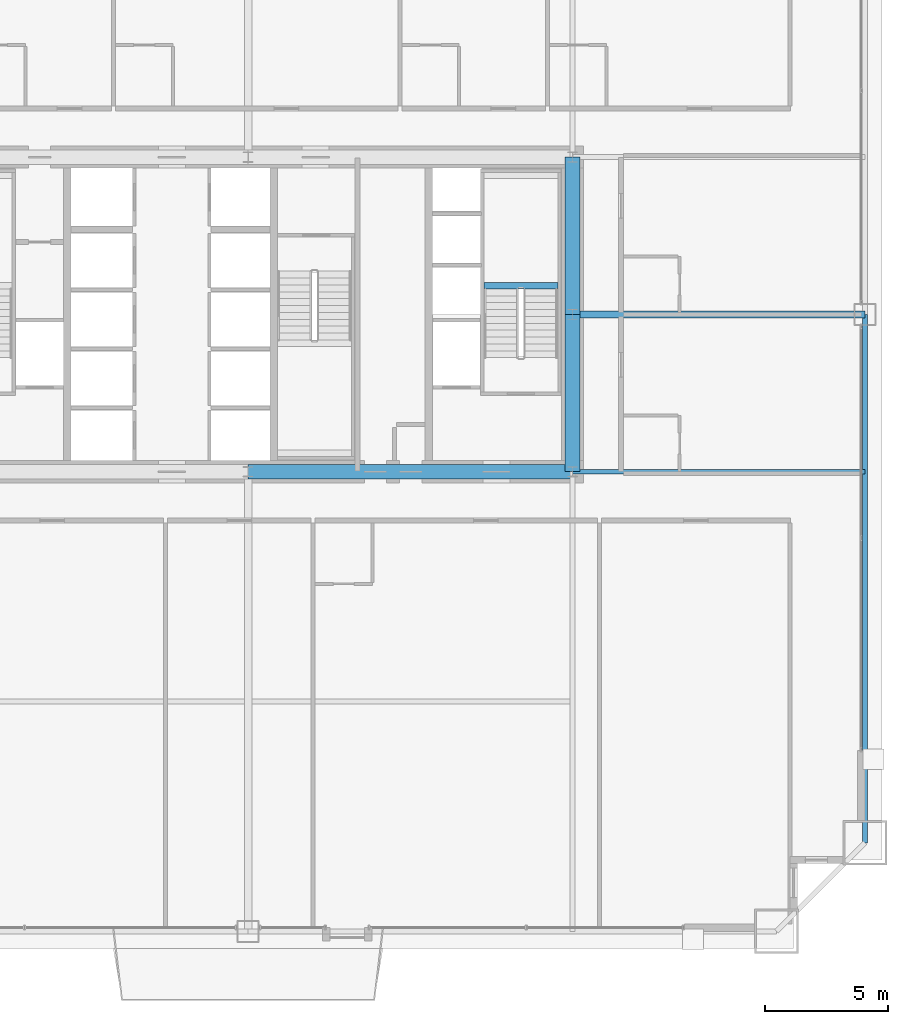
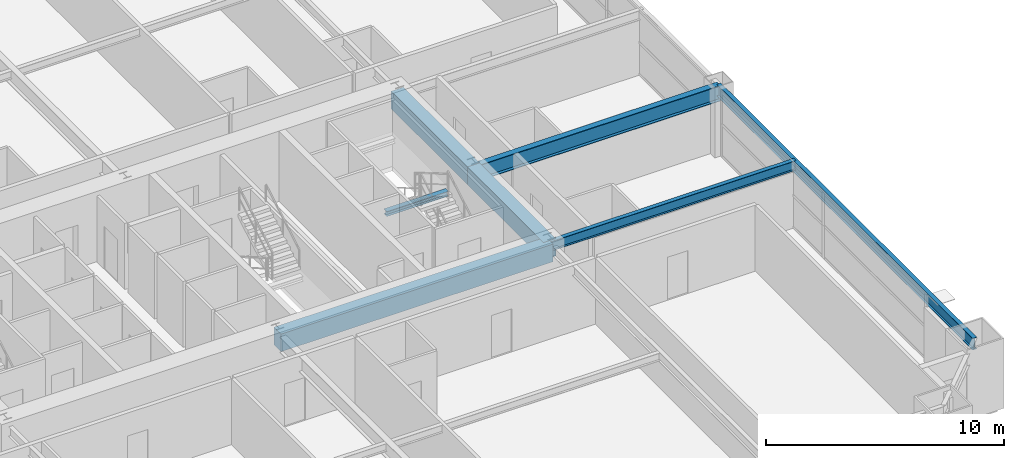
# One storey, part 18 of 43: 7 beams.
"""IFC4 building model written with IfcOpenShell, lengths in metres."""

from ifc_helpers import new_model, si_unit, direction, frame, origin, origin_2d, place, context, subcontext, project, spatial, rectangle, i_section, extrude, source, transform, mapped, material, material_profile, profile_set, type_object, element, save


model = new_model("IFC4")

# Units and contexts
model_context = context("Model", 3, precision=1e-05, world=origin(), true_north=direction((0.0, 1.0)))
body_context = subcontext(model_context, "Body", "Model", "MODEL_VIEW")
ifc_project = project(units=[si_unit("LENGTHUNIT", "METRE"), si_unit("AREAUNIT", "SQUARE_METRE"), si_unit("VOLUMEUNIT", "CUBIC_METRE"), si_unit("PLANEANGLEUNIT", "RADIAN"), si_unit("MASSUNIT", "GRAM", prefix="KILO"), si_unit("THERMODYNAMICTEMPERATUREUNIT", "KELVIN"), si_unit("POWERUNIT", "WATT")], contexts=[model_context])

# Site, building, storey
site_placement = place(None, origin())
site = spatial("IfcSite", under=ifc_project, at=site_placement, CompositionType="ELEMENT")
building_placement = place(site_placement, origin())
building = spatial("IfcBuilding", under=site, at=building_placement, Name="Yuzanri Waterfront Tower", CompositionType="ELEMENT")
storey_placement = place(building_placement, frame((0.0, 0.0, 78.39990234375)))
storey = spatial("IfcBuildingStorey", under=building, at=storey_placement, Name="L20", CompositionType="ELEMENT", Elevation=78.39990234375)

# Beams
ifc_material_1 = material(Name="Concrete C60", Category="concrete")
ifc_material_profile_1 = material_profile(ifc_material_1, rectangle(XDim=0.60009765625, YDim=0.89990234375, at=origin_2d()), Name="RC 600x900")
ifc_profile_set_1 = profile_set([ifc_material_profile_1], Name="Concrete C60")
beam_type_1 = type_object("IfcBeamType", Name="Core Coupling Lintel Concrete C60 600x900", PredefinedType="LINTEL", material=ifc_profile_set_1)
shared_shape_1 = source(origin(), body_context, "Body", "SweptSolid", [
    extrude(rectangle(XDim=0.60009765625, YDim=0.89990234375, at=origin_2d()), origin(), (0.0, 0.0, 1.0), 13.199951171875),
])
beam_1_placement = place(storey_placement, frame((37.0, 19.39990234375, 2.93017578125), z_axis=(1.0, 0.0, 0.0), x_axis=(0.0, 1.0, 0.0)))
element("IfcBeam", 1, at=beam_1_placement, inside=storey, type_object=beam_type_1, Name="L20 Core Tie Beam CS2", PredefinedType="LINTEL", context=body_context, shape_type="MappedRepresentation", body=[
    mapped(shared_shape_1, transform((0.0, 0.0, 0.0), scale=1.0)),
])
shared_shape_2 = source(origin(), body_context, "Body", "SweptSolid", [
    extrude(rectangle(XDim=0.60009765625, YDim=0.89990234375, at=origin_2d()), origin(), (0.0, 0.0, 1.0), 6.400146484375),
])
beam_2_placement = place(storey_placement, frame((50.199951171875, 19.39990234375, 2.93017578125), z_axis=(0.0, 1.0, 0.0), x_axis=(-1.0, 0.0, 0.0)))
element("IfcBeam", 2, at=beam_2_placement, inside=storey, type_object=beam_type_1, Name="L20 Core Tie Beam CE1", PredefinedType="LINTEL", context=body_context, shape_type="MappedRepresentation", body=[
    mapped(shared_shape_2, transform((0.0, 0.0, 0.0), scale=1.0)),
])
shared_shape_3 = source(origin(), body_context, "Body", "SweptSolid", [
    extrude(rectangle(XDim=0.60009765625, YDim=0.89990234375, at=origin_2d()), origin(), (0.0, 0.0, 1.0), 6.39990234375),
])
beam_3_placement = place(storey_placement, frame((50.199951171875, 25.800048828125, 2.93017578125), z_axis=(0.0, 1.0, 0.0), x_axis=(-1.0, 0.0, 0.0)))
element("IfcBeam", 3, at=beam_3_placement, inside=storey, type_object=beam_type_1, Name="L20 Core Tie Beam CE2", PredefinedType="LINTEL", context=body_context, shape_type="MappedRepresentation", body=[
    mapped(shared_shape_3, transform((0.0, 0.0, 0.0), scale=1.0)),
])
ifc_material_2 = material(Name="Steel Q355B", Category="steel")
ifc_material_profile_2 = material_profile(ifc_material_2, i_section(OverallWidth=0.199951171875, OverallDepth=0.60009765625, WebThickness=0.010986328125, FlangeThickness=0.01708984375, at=origin_2d()), Name="HN 600x200x11x17")
ifc_profile_set_2 = profile_set([ifc_material_profile_2], Name="Steel Q355B")
beam_type_2 = type_object("IfcBeamType", Name="Perimeter Spandrel Q355B HN 600x200", PredefinedType="SPANDREL", material=ifc_profile_set_2)
shared_shape_4 = source(origin(), body_context, "Body", "SweptSolid", [
    extrude(i_section(OverallWidth=0.199951171875, OverallDepth=0.60009765625, WebThickness=0.010986328125, FlangeThickness=0.01708984375, at=origin_2d()), origin(), (0.0, 0.0, 1.0), 21.5),
])
beam_4_placement = place(storey_placement, frame((62.10009765625, 4.300048828125, 3.080078125), z_axis=(0.0, 1.0, 0.0), x_axis=(-1.0, 0.0, 0.0)))
element("IfcBeam", 4, at=beam_4_placement, inside=storey, type_object=beam_type_2, Name="L20 Perimeter Spandrel E1-E2", PredefinedType="SPANDREL", context=body_context, shape_type="MappedRepresentation", body=[
    mapped(shared_shape_4, transform((0.0, 0.0, 0.0), scale=1.0)),
])
ifc_material_3 = material(Name="Steel Q355B", Category="steel")
ifc_material_profile_3 = material_profile(ifc_material_3, i_section(OverallWidth=0.300048828125, OverallDepth=0.800048828125, WebThickness=0.013916015625, FlangeThickness=0.02587890625, at=origin_2d()), Name="HN 800x300x14x26")
ifc_profile_set_3 = profile_set([ifc_material_profile_3], Name="Steel Q355B")
beam_type_3 = type_object("IfcBeamType", Name="Primary Floor Girder Q355B HN 800x300", PredefinedType="BEAM", material=ifc_profile_set_3)
shared_shape_5 = source(origin(), body_context, "Body", "SweptSolid", [
    extrude(i_section(OverallWidth=0.300048828125, OverallDepth=0.800048828125, WebThickness=0.013916015625, FlangeThickness=0.02587890625, at=origin_2d()), origin(), (0.0, 0.0, 1.0), 11.900146484375),
])
beam_5_placement = place(storey_placement, frame((50.199951171875, 25.800048828125, 2.97998046875), z_axis=(1.0, 0.0, 0.0), x_axis=(0.0, 1.0, 0.0)))
element("IfcBeam", 5, at=beam_5_placement, inside=storey, type_object=beam_type_3, Name="L20 East Grid Girder", PredefinedType="BEAM", context=body_context, shape_type="MappedRepresentation", body=[
    mapped(shared_shape_5, transform((0.0, 0.0, 0.0), scale=1.0)),
])
ifc_material_4 = material(Name="Steel Q355B", Category="steel")
ifc_material_profile_4 = material_profile(ifc_material_4, i_section(OverallWidth=0.199951171875, OverallDepth=0.5, WebThickness=0.010009765625, FlangeThickness=0.01611328125, at=origin_2d()), Name="HN 500x200x10x16")
ifc_profile_set_4 = profile_set([ifc_material_profile_4], Name="Steel Q355B")
beam_type_4 = type_object("IfcBeamType", Name="Secondary Floor Beam Q355B HN 500x200", PredefinedType="BEAM", material=ifc_profile_set_4)
shared_shape_6 = source(origin(), body_context, "Body", "SweptSolid", [
    extrude(i_section(OverallWidth=0.199951171875, OverallDepth=0.5, WebThickness=0.010009765625, FlangeThickness=0.01611328125, at=origin_2d()), origin(), (0.0, 0.0, 1.0), 11.900146484375),
])
beam_6_placement = place(storey_placement, frame((50.199951171875, 19.39990234375, 3.130126953125), z_axis=(1.0, 0.0, 0.0), x_axis=(0.0, 1.0, 0.0)))
element("IfcBeam", 6, at=beam_6_placement, inside=storey, type_object=beam_type_4, Name="L20 East-South Core Line Beam", PredefinedType="BEAM", context=body_context, shape_type="MappedRepresentation", body=[
    mapped(shared_shape_6, transform((0.0, 0.0, 0.0), scale=1.0)),
])
ifc_material_5 = material(Name="Steel Q355B", Category="steel")
ifc_material_profile_5 = material_profile(ifc_material_5, i_section(OverallWidth=0.25, OverallDepth=0.25, WebThickness=0.009033203125, FlangeThickness=0.013916015625, at=origin_2d()), Name="HW 250x250x9x14")
ifc_profile_set_5 = profile_set([ifc_material_profile_5], Name="Steel Q355B")
beam_type_5 = type_object("IfcBeamType", Name="Stair Landing Support Beam Q355B HW 250x250", PredefinedType="BEAM", material=ifc_profile_set_5)
shared_shape_7 = source(origin(), body_context, "Body", "SweptSolid", [
    extrude(i_section(OverallWidth=0.25, OverallDepth=0.25, WebThickness=0.009033203125, FlangeThickness=0.013916015625, at=origin_2d()), origin(), (0.0, 0.0, 1.0), 3.0),
])
beam_7_placement = place(storey_placement, frame((46.60009765625, 26.969970703125, 1.47509765625), z_axis=(1.0, 0.0, 0.0), x_axis=(0.0, 1.0, 0.0)))
element("IfcBeam", 7, at=beam_7_placement, inside=storey, type_object=beam_type_5, Name="L20 Stair Landing Support Beam ST-02-L20-L1-1", PredefinedType="BEAM", context=body_context, shape_type="MappedRepresentation", body=[
    mapped(shared_shape_7, transform((0.0, 0.0, 0.0), scale=1.0)),
])

save(model, "model.ifc")
